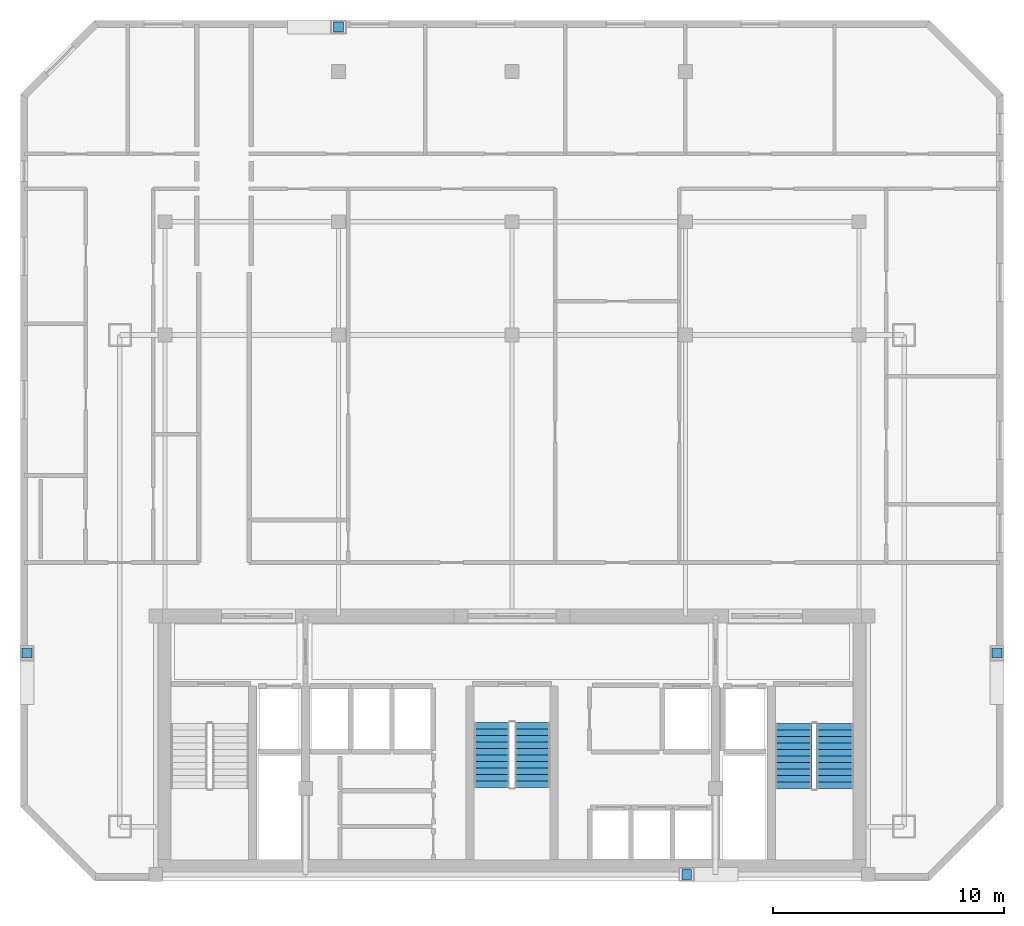
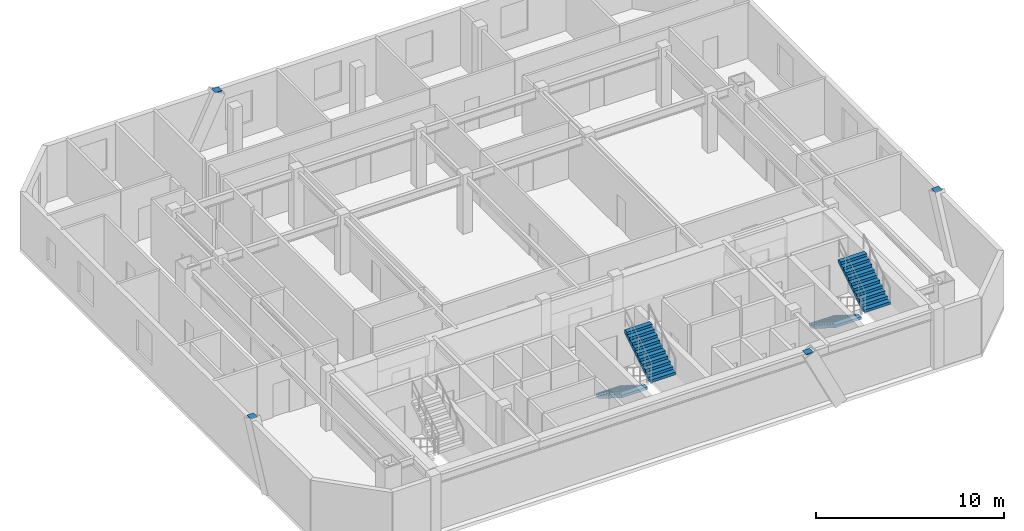
# One storey, part 6 of 7: 4 discrete accessories, 4 stair flights, 2 elements without a shape of their own.
"""IFC4 building model written with IfcOpenShell, lengths in metres."""

from ifc_helpers import new_model, si_unit, direction, frame, origin, origin_2d, place, context, subcontext, project, spatial, polyline, rectangle, outline, extrude, material, type_object, element, aggregate, save


model = new_model("IFC4")

# Units and contexts
model_context = context("Model", 3, precision=1e-05, world=origin(), true_north=direction((0.0, 1.0)))
body_context = subcontext(model_context, "Body", "Model", "MODEL_VIEW")
ifc_project = project(units=[si_unit("LENGTHUNIT", "METRE"), si_unit("AREAUNIT", "SQUARE_METRE"), si_unit("VOLUMEUNIT", "CUBIC_METRE"), si_unit("PLANEANGLEUNIT", "RADIAN"), si_unit("MASSUNIT", "GRAM", prefix="KILO")], contexts=[model_context])

# Site, building, storey
site_placement = place(None, origin())
site = spatial("IfcSite", under=ifc_project, at=site_placement, CompositionType="ELEMENT")
building_placement = place(site_placement, origin())
building = spatial("IfcBuilding", under=site, at=building_placement, Name="Ventersveld Concourse Tower", CompositionType="ELEMENT")
storey_placement = place(building_placement, frame((0.0, 0.0, 231.10009765625)))
storey = spatial("IfcBuildingStorey", under=building, at=storey_placement, Name="L57", CompositionType="ELEMENT", Elevation=231.10009765625)

# Stair, stair flights
ifc_material_1 = material(Name="Concrete C50/60", Category="concrete")
stair_type_1 = type_object("IfcStairType", Name="ST-DOG-155", PredefinedType="HALF_TURN_STAIR", material=ifc_material_1)
stair_1_placement = place(storey_placement, origin())
stair_1 = element("IfcStair", 1, at=stair_1_placement, inside=storey, type_object=stair_type_1, Name="L57 Protected Central Core Escape Stair ST-03", PredefinedType="HALF_TURN_STAIR")
stair_flight_type_1 = type_object("IfcStairFlightType", Name="STF-RC-155", PredefinedType="STRAIGHT", material=ifc_material_1)
stair_flight_1_placement = place(storey_placement, frame((27.875, 6.85009765625, 0.0), z_axis=(0.0, 0.0, 1.0), x_axis=(0.0, -1.0, 0.0)))
stair_flight_1 = element("IfcStairFlight", 2, at=stair_flight_1_placement, type_object=stair_flight_type_1, Name="ST-03 flight 1", NumberOfRisers=11, NumberOfTreads=10, PredefinedType="STRAIGHT", RiserHeight=0.175, TreadLength=0.28, context=body_context, shape_type="SweptSolid", body=[
    extrude(outline(polyline([(0.0, 0.0), (0.0, 0.175048828125), (0.280029296875, 0.175048828125), (0.280029296875, 0.35009765625), (0.56005859375, 0.35009765625), (0.56005859375, 0.52490234375), (0.840087890625, 0.52490234375), (0.840087890625, 0.699951171875), (1.1201171875, 0.699951171875), (1.1201171875, 0.875), (1.39990234375, 0.875), (1.39990234375, 1.050048828125), (1.679931640625, 1.050048828125), (1.679931640625, 1.22509765625), (1.9599609375, 1.22509765625), (1.9599609375, 1.39990234375), (2.239990234375, 1.39990234375), (2.239990234375, 1.574951171875), (2.52001953125, 1.574951171875), (2.52001953125, 1.75), (2.800048828125, 1.75), (2.800048828125, 1.925048828125), (2.800048828125, 1.5732421875), (0.28271484375, 0.0), (0.0, 0.0)])), frame((0.0, 0.77490234375, 0.0), z_axis=(0.0, -1.0, 0.0), x_axis=(1.0, 0.0, 0.0)), (0.0, 0.0, 1.0), 1.550048828125),
])
stair_flight_2_placement = place(storey_placement, frame((29.625, 4.050048828125, 1.9248046875), z_axis=(0.0, 0.0, 1.0), x_axis=(0.0, 1.0, 0.0)))
stair_flight_2 = element("IfcStairFlight", 3, at=stair_flight_2_placement, type_object=stair_flight_type_1, Name="ST-03 flight 2", NumberOfRisers=11, NumberOfTreads=10, PredefinedType="STRAIGHT", RiserHeight=0.175, TreadLength=0.28, context=body_context, shape_type="SweptSolid", body=[
    extrude(outline(polyline([(0.0, 0.0), (0.0, 0.175048828125), (0.280029296875, 0.175048828125), (0.280029296875, 0.35009765625), (0.56005859375, 0.35009765625), (0.56005859375, 0.52490234375), (0.840087890625, 0.52490234375), (0.840087890625, 0.699951171875), (1.1201171875, 0.699951171875), (1.1201171875, 0.875), (1.39990234375, 0.875), (1.39990234375, 1.050048828125), (1.679931640625, 1.050048828125), (1.679931640625, 1.22509765625), (1.9599609375, 1.22509765625), (1.9599609375, 1.39990234375), (2.239990234375, 1.39990234375), (2.239990234375, 1.574951171875), (2.52001953125, 1.574951171875), (2.52001953125, 1.75), (2.800048828125, 1.75), (2.800048828125, 1.925048828125), (2.800048828125, 1.5732421875), (0.28271484375, 0.0), (0.0, 0.0)])), frame((0.0, 0.77490234375, 0.0), z_axis=(0.0, -1.0, 0.0), x_axis=(1.0, 0.0, 0.0)), (0.0, 0.0, 1.0), 1.550048828125),
])
aggregate(stair_1, [stair_flight_1, stair_flight_2])

stair_type_2 = type_object("IfcStairType", Name="ST-DOG-160", PredefinedType="HALF_TURN_STAIR", material=ifc_material_1)
stair_2_placement = place(storey_placement, origin())
stair_2 = element("IfcStair", 4, at=stair_2_placement, inside=storey, type_object=stair_type_2, Name="L57 Protected Tower Escape Stair ST-02", PredefinedType="HALF_TURN_STAIR")
stair_flight_type_2 = type_object("IfcStairFlightType", Name="STF-RC-160", PredefinedType="STRAIGHT", material=ifc_material_1)
stair_flight_3_placement = place(storey_placement, frame((40.919921875, 6.800048828125, 0.0), z_axis=(0.0, 0.0, 1.0), x_axis=(0.0, -1.0, 0.0)))
stair_flight_3 = element("IfcStairFlight", 5, at=stair_flight_3_placement, type_object=stair_flight_type_2, Name="ST-02 flight 1", NumberOfRisers=11, NumberOfTreads=10, PredefinedType="STRAIGHT", RiserHeight=0.175, TreadLength=0.28, context=body_context, shape_type="SweptSolid", body=[
    extrude(outline(polyline([(0.0, 0.0), (0.0, 0.175048828125), (0.280029296875, 0.175048828125), (0.280029296875, 0.35009765625), (0.56005859375, 0.35009765625), (0.56005859375, 0.52490234375), (0.840087890625, 0.52490234375), (0.840087890625, 0.699951171875), (1.1201171875, 0.699951171875), (1.1201171875, 0.875), (1.39990234375, 0.875), (1.39990234375, 1.050048828125), (1.679931640625, 1.050048828125), (1.679931640625, 1.22509765625), (1.9599609375, 1.22509765625), (1.9599609375, 1.39990234375), (2.239990234375, 1.39990234375), (2.239990234375, 1.574951171875), (2.52001953125, 1.574951171875), (2.52001953125, 1.75), (2.800048828125, 1.75), (2.800048828125, 1.925048828125), (2.800048828125, 1.5732421875), (0.28271484375, 0.0), (0.0, 0.0)])), frame((0.0, 0.800048828125, 0.0), z_axis=(0.0, -1.0, 0.0), x_axis=(1.0, 0.0, 0.0)), (0.0, 0.0, 1.0), 1.60009765625),
])
stair_flight_4_placement = place(storey_placement, frame((42.719970703125, 4.0, 1.9248046875), z_axis=(0.0, 0.0, 1.0), x_axis=(0.0, 1.0, 0.0)))
stair_flight_4 = element("IfcStairFlight", 6, at=stair_flight_4_placement, type_object=stair_flight_type_2, Name="ST-02 flight 2", NumberOfRisers=11, NumberOfTreads=10, PredefinedType="STRAIGHT", RiserHeight=0.175, TreadLength=0.28, context=body_context, shape_type="SweptSolid", body=[
    extrude(outline(polyline([(0.0, 0.0), (0.0, 0.175048828125), (0.280029296875, 0.175048828125), (0.280029296875, 0.35009765625), (0.56005859375, 0.35009765625), (0.56005859375, 0.52490234375), (0.840087890625, 0.52490234375), (0.840087890625, 0.699951171875), (1.1201171875, 0.699951171875), (1.1201171875, 0.875), (1.39990234375, 0.875), (1.39990234375, 1.050048828125), (1.679931640625, 1.050048828125), (1.679931640625, 1.22509765625), (1.9599609375, 1.22509765625), (1.9599609375, 1.39990234375), (2.239990234375, 1.39990234375), (2.239990234375, 1.574951171875), (2.52001953125, 1.574951171875), (2.52001953125, 1.75), (2.800048828125, 1.75), (2.800048828125, 1.925048828125), (2.800048828125, 1.5732421875), (0.28271484375, 0.0), (0.0, 0.0)])), frame((0.0, 0.800048828125, 0.0), z_axis=(0.0, -1.0, 0.0), x_axis=(1.0, 0.0, 0.0)), (0.0, 0.0, 1.0), 1.60009765625),
])
aggregate(stair_2, [stair_flight_3, stair_flight_4])

# Discrete accessories
ifc_material_2 = material(Name="Structural steel S355J2", Category="steel")
discrete_accessory_type = type_object("IfcDiscreteAccessoryType", Name="CONN-BRACE-ECP1", PredefinedType="BRACKET", material=ifc_material_2)
for number, where, z_axis, x_axis, name in (
    (7, (21.25, 36.919921875, 3.60986328125), (0.0, 0.0, 1.0), (1.0, 0.0, 0.0), "L57 Steel Brace End Connection Plate ECP1-0405"),
    (8, (36.300048828125, 0.280029296875, 3.60986328125), (0.0, 0.0, 1.0), (1.0, 0.0, 0.0), "L57 Steel Brace End Connection Plate ECP1-0409"),
    (9, (7.780029296875, 9.85009765625, 3.60986328125), (0.0, 0.0, 1.0), (1.0, 0.0, 0.0), "L57 Steel Brace End Connection Plate ECP1-0414"),
    (10, (49.719970703125, 9.85009765625, 3.60986328125), (0.0, 0.0, 1.0), (1.0, 0.0, 0.0), "L57 Steel Brace End Connection Plate ECP1-0419"),
):
    element("IfcDiscreteAccessory", number, at=place(storey_placement, frame(where, z_axis=z_axis, x_axis=x_axis)), inside=storey, type_object=discrete_accessory_type, Name=name, PredefinedType="BRACKET", context=body_context, shape_type="SweptSolid", body=[
        extrude(rectangle(XDim=0.419921875, YDim=0.419921875, at=origin_2d()), origin(), (0.0, 0.0, 1.0), 0.0400390625),
    ])

save(model, "model.ifc")
